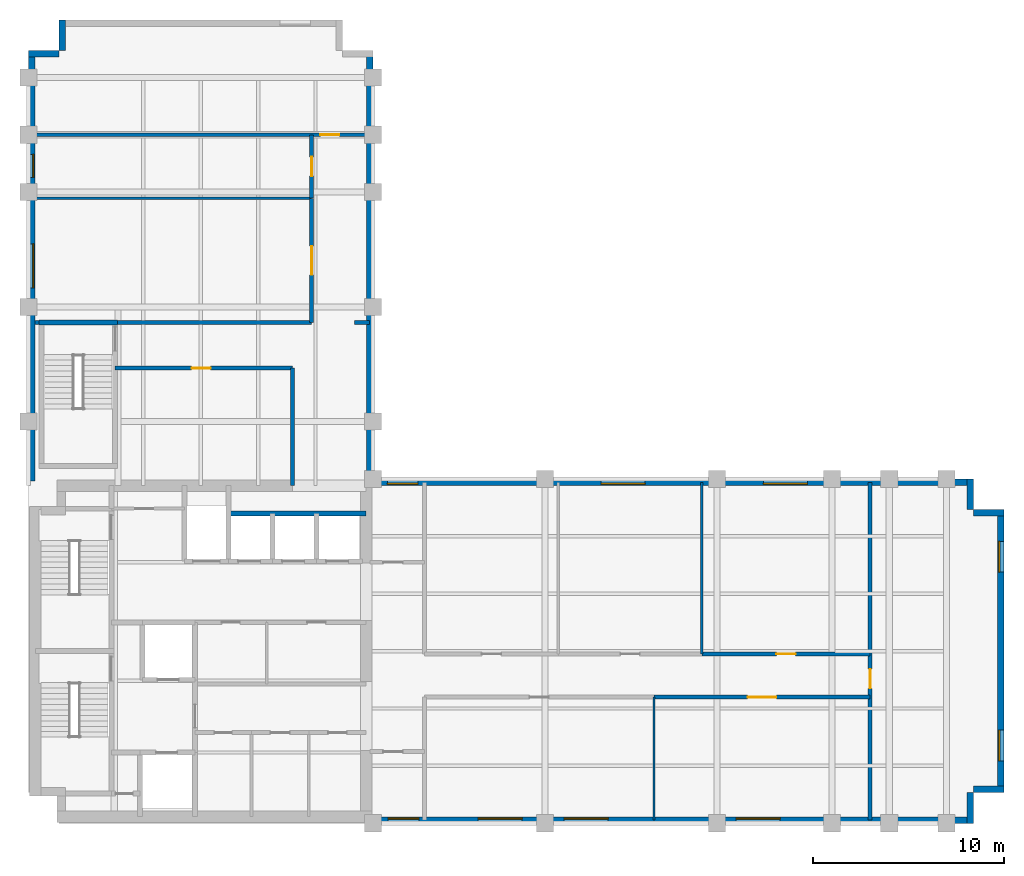
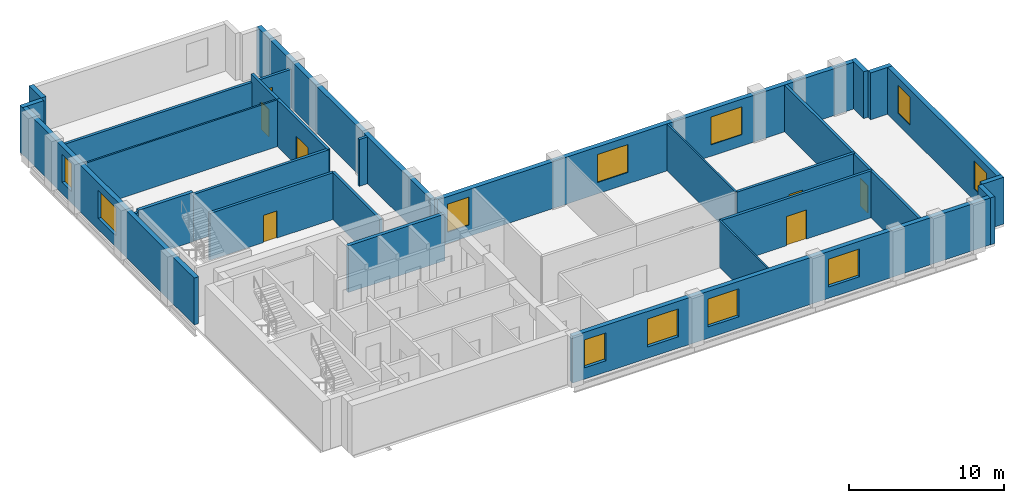
# One storey, part 4 of 6: 27 walls, 11 windows, 7 doors, 18 openings.
"""IFC4 building model written with IfcOpenShell, lengths in metres."""

from ifc_helpers import new_model, si_unit, direction, frame, frame_2d, origin, place, context, subcontext, project, spatial, rectangle, extrude, material, layer, layer_set, type_object, element, fill, save


model = new_model("IFC4")

# Units and contexts
model_context = context("Model", 3, precision=1e-05, world=origin(), true_north=direction((0.0, 1.0)))
body_context = subcontext(model_context, "Body", "Model", "MODEL_VIEW")
ifc_project = project(units=[si_unit("LENGTHUNIT", "METRE"), si_unit("AREAUNIT", "SQUARE_METRE"), si_unit("VOLUMEUNIT", "CUBIC_METRE"), si_unit("PLANEANGLEUNIT", "RADIAN"), si_unit("MASSUNIT", "GRAM", prefix="KILO")], contexts=[model_context])

# Site, building, storey
site_placement = place(None, origin())
site = spatial("IfcSite", under=ifc_project, at=site_placement, CompositionType="ELEMENT")
building_placement = place(site_placement, origin())
building = spatial("IfcBuilding", under=site, at=building_placement, Name="Mawjdan Bourse Tower", CompositionType="ELEMENT")
storey_placement = place(building_placement, frame((0.0, 0.0, 176.10009765625)))
storey = spatial("IfcBuildingStorey", under=building, at=storey_placement, Name="L42", CompositionType="ELEMENT", Elevation=176.10009765625)

# Wall, openings, windows
ifc_material_1 = material(Name="Brick Masonry Buff", Category="masonry")
ifc_layer_1 = layer(ifc_material_1, 0.340087890625)
ifc_layer_set_1 = layer_set([ifc_layer_1], Name="Brick Masonry Buff")
wall_type_1 = type_object("IfcWallType", Name="WL-BRK-SPN-340", PredefinedType="STANDARD", material=ifc_layer_set_1)
wall_1_placement = place(storey_placement, frame((23.89990234375, 3.169921875, 0.0), z_axis=(0.0, 0.0, 1.0), x_axis=(1.0, 0.0, 0.0)))
wall_1 = element("IfcWall", 1, at=wall_1_placement, inside=storey, type_object=wall_type_1, Name="L42 Exterior Brick Wall 1", PredefinedType="STANDARD", context=body_context, shape_type="SweptSolid", body=[
    extrude(rectangle(XDim=31.5, YDim=0.340087890625, at=frame_2d((15.75, 0.0))), origin(), (0.0, 0.0, 1.0), 3.699951171875),
])
opening_1_placement = place(wall_1_placement, frame((5.60009765625, 0.0, 0.89990234375)))
opening_1 = element("IfcOpeningElement", 2, at=opening_1_placement, cuts=wall_1, Name="Opening W-L42-01", PredefinedType="OPENING", context=body_context, shape_type="SweptSolid", body=[
    extrude(rectangle(XDim=2.300048828125, YDim=2.199951171875, at=frame_2d((1.14990234375, 1.10009765625))), frame((0.0, 0.18017578125, 0.0), z_axis=(0.0, -1.0, 0.0), x_axis=(1.0, 0.0, 0.0)), (0.0, 0.0, 1.0), 0.360107421875),
])
opening_2_placement = place(wall_1_placement, frame((10.10009765625, 0.0, 0.89990234375)))
opening_2 = element("IfcOpeningElement", 3, at=opening_2_placement, cuts=wall_1, Name="Opening W-L42-02", PredefinedType="OPENING", context=body_context, shape_type="SweptSolid", body=[
    extrude(rectangle(XDim=2.300048828125, YDim=2.199951171875, at=frame_2d((1.14990234375, 1.10009765625))), frame((0.0, 0.18017578125, 0.0), z_axis=(0.0, -1.0, 0.0), x_axis=(1.0, 0.0, 0.0)), (0.0, 0.0, 1.0), 0.360107421875),
])
opening_3_placement = place(wall_1_placement, frame((19.10009765625, 0.0, 0.89990234375)))
opening_3 = element("IfcOpeningElement", 4, at=opening_3_placement, cuts=wall_1, Name="Opening W-L42-03", PredefinedType="OPENING", context=body_context, shape_type="SweptSolid", body=[
    extrude(rectangle(XDim=2.300048828125, YDim=2.199951171875, at=frame_2d((1.14990234375, 1.10009765625))), frame((0.0, 0.18017578125, 0.0), z_axis=(0.0, -1.0, 0.0), x_axis=(1.0, 0.0, 0.0)), (0.0, 0.0, 1.0), 0.360107421875),
])
opening_4_placement = place(wall_1_placement, frame((0.89990234375, 0.0, 0.89990234375)))
opening_4 = element("IfcOpeningElement", 5, at=opening_4_placement, cuts=wall_1, Name="Opening W-L42-09", PredefinedType="OPENING", context=body_context, shape_type="SweptSolid", body=[
    extrude(rectangle(XDim=1.60009765625, YDim=2.199951171875, at=frame_2d((0.800048828125, 1.10009765625))), frame((0.0, 0.18017578125, 0.0), z_axis=(0.0, -1.0, 0.0), x_axis=(1.0, 0.0, 0.0)), (0.0, 0.0, 1.0), 0.360107421875),
])
ifc_material_2 = material(Name="Solar-Control Clear Double Glazing", Category="glass")
window_type_1 = type_object("IfcWindowType", Name="WN-Z3-1600", PartitioningType="SINGLE_PANEL", PredefinedType="WINDOW", material=ifc_material_2)
window_1_placement = place(opening_4_placement, origin())
window_1 = element("IfcWindow", 6, at=window_1_placement, inside=storey, type_object=window_type_1, Name="L42 Deep-Set Masonry Window W-L42-09", OverallHeight=2.199951171875, OverallWidth=1.60009765625, PartitioningType="SINGLE_PANEL", PredefinedType="WINDOW", context=body_context, shape_type="SweptSolid", body=[
    extrude(rectangle(XDim=1.60009765625, YDim=2.199951171875, at=frame_2d((0.800048828125, 1.10009765625))), frame((0.0, 0.110107421875, 0.0), z_axis=(0.0, -1.0, 0.0), x_axis=(1.0, 0.0, 0.0)), (0.0, 0.0, 1.0), 0.06005859375),
])
fill(opening_4, window_1)
window_type_2 = type_object("IfcWindowType", Name="WN-Z3-2300", PartitioningType="SINGLE_PANEL", PredefinedType="WINDOW", material=ifc_material_2)
window_2_placement = place(opening_1_placement, origin())
window_2 = element("IfcWindow", 7, at=window_2_placement, inside=storey, type_object=window_type_2, Name="L42 Deep-Set Masonry Window W-L42-01", OverallHeight=2.199951171875, OverallWidth=2.300048828125, PartitioningType="SINGLE_PANEL", PredefinedType="WINDOW", context=body_context, shape_type="SweptSolid", body=[
    extrude(rectangle(XDim=2.300048828125, YDim=2.199951171875, at=frame_2d((1.14990234375, 1.10009765625))), frame((0.0, 0.110107421875, 0.0), z_axis=(0.0, -1.0, 0.0), x_axis=(1.0, 0.0, 0.0)), (0.0, 0.0, 1.0), 0.06005859375),
])
fill(opening_1, window_2)
window_3_placement = place(opening_2_placement, origin())
window_3 = element("IfcWindow", 8, at=window_3_placement, inside=storey, type_object=window_type_2, Name="L42 Deep-Set Masonry Window W-L42-02", OverallHeight=2.199951171875, OverallWidth=2.300048828125, PartitioningType="SINGLE_PANEL", PredefinedType="WINDOW", context=body_context, shape_type="SweptSolid", body=[
    extrude(rectangle(XDim=2.300048828125, YDim=2.199951171875, at=frame_2d((1.14990234375, 1.10009765625))), frame((0.0, 0.110107421875, 0.0), z_axis=(0.0, -1.0, 0.0), x_axis=(1.0, 0.0, 0.0)), (0.0, 0.0, 1.0), 0.06005859375),
])
fill(opening_2, window_3)
window_4_placement = place(opening_3_placement, origin())
window_4 = element("IfcWindow", 9, at=window_4_placement, inside=storey, type_object=window_type_2, Name="L42 Deep-Set Masonry Window W-L42-03", OverallHeight=2.199951171875, OverallWidth=2.300048828125, PartitioningType="SINGLE_PANEL", PredefinedType="WINDOW", context=body_context, shape_type="SweptSolid", body=[
    extrude(rectangle(XDim=2.300048828125, YDim=2.199951171875, at=frame_2d((1.14990234375, 1.10009765625))), frame((0.0, 0.110107421875, 0.0), z_axis=(0.0, -1.0, 0.0), x_axis=(1.0, 0.0, 0.0)), (0.0, 0.0, 1.0), 0.06005859375),
])
fill(opening_3, window_4)

# Walls
for number, where, z_axis, x_axis, name in (
    (10, (55.22998046875, 3.0, 0.0), (0.0, 0.0, 1.0), (0.0, 1.0, 0.0), "L42 Exterior Brick Wall 2"),
    (11, (55.39990234375, 4.77001953125, 0.0), (0.0, 0.0, 1.0), (1.0, 0.0, 0.0), "L42 Exterior Brick Wall 3"),
):
    element("IfcWall", number, at=place(storey_placement, frame(where, z_axis=z_axis, x_axis=x_axis)), inside=storey, type_object=wall_type_1, Name=name, PredefinedType="STANDARD", context=body_context, shape_type="SweptSolid", body=[
        extrude(rectangle(XDim=1.60009765625, YDim=0.340087890625, at=frame_2d((0.800048828125, 0.0))), origin(), (0.0, 0.0, 1.0), 3.699951171875),
    ])

# Wall, openings, windows
wall_2_placement = place(storey_placement, frame((56.830078125, 4.60009765625, 0.0), z_axis=(0.0, 0.0, 1.0), x_axis=(0.0, 1.0, 0.0)))
wall_2 = element("IfcWall", 12, at=wall_2_placement, inside=storey, type_object=wall_type_1, Name="L42 Exterior Brick Wall 4", PredefinedType="STANDARD", context=body_context, shape_type="SweptSolid", body=[
    extrude(rectangle(XDim=14.7998046875, YDim=0.340087890625, at=frame_2d((7.39990234375, 0.0))), origin(), (0.0, 0.0, 1.0), 3.699951171875),
])
opening_5_placement = place(wall_2_placement, frame((1.666748046875, 0.0, 0.89990234375)))
opening_5 = element("IfcOpeningElement", 13, at=opening_5_placement, cuts=wall_2, Name="Opening W-L42-04", PredefinedType="OPENING", context=body_context, shape_type="SweptSolid", body=[
    extrude(rectangle(XDim=1.60009765625, YDim=2.199951171875, at=frame_2d((0.800048828125, 1.10009765625))), frame((0.0, 0.18017578125, 0.0), z_axis=(0.0, -1.0, 0.0), x_axis=(1.0, 0.0, 0.0)), (0.0, 0.0, 1.0), 0.360107421875),
])
opening_6_placement = place(wall_2_placement, frame((11.533203125, 0.0, 0.89990234375)))
opening_6 = element("IfcOpeningElement", 14, at=opening_6_placement, cuts=wall_2, Name="Opening W-L42-05", PredefinedType="OPENING", context=body_context, shape_type="SweptSolid", body=[
    extrude(rectangle(XDim=1.60009765625, YDim=2.199951171875, at=frame_2d((0.800048828125, 1.10009765625))), frame((0.0, 0.18017578125, 0.0), z_axis=(0.0, -1.0, 0.0), x_axis=(1.0, 0.0, 0.0)), (0.0, 0.0, 1.0), 0.360107421875),
])
window_5_placement = place(opening_5_placement, origin())
window_5 = element("IfcWindow", 15, at=window_5_placement, inside=storey, type_object=window_type_1, Name="L42 Deep-Set Masonry Window W-L42-04", OverallHeight=2.199951171875, OverallWidth=1.60009765625, PartitioningType="SINGLE_PANEL", PredefinedType="WINDOW", context=body_context, shape_type="SweptSolid", body=[
    extrude(rectangle(XDim=1.60009765625, YDim=2.199951171875, at=frame_2d((0.800048828125, 1.10009765625))), frame((0.0, 0.110107421875, 0.0), z_axis=(0.0, -1.0, 0.0), x_axis=(1.0, 0.0, 0.0)), (0.0, 0.0, 1.0), 0.06005859375),
])
fill(opening_5, window_5)
window_6_placement = place(opening_6_placement, origin())
window_6 = element("IfcWindow", 16, at=window_6_placement, inside=storey, type_object=window_type_1, Name="L42 Deep-Set Masonry Window W-L42-05", OverallHeight=2.199951171875, OverallWidth=1.60009765625, PartitioningType="SINGLE_PANEL", PredefinedType="WINDOW", context=body_context, shape_type="SweptSolid", body=[
    extrude(rectangle(XDim=1.60009765625, YDim=2.199951171875, at=frame_2d((0.800048828125, 1.10009765625))), frame((0.0, 0.110107421875, 0.0), z_axis=(0.0, -1.0, 0.0), x_axis=(1.0, 0.0, 0.0)), (0.0, 0.0, 1.0), 0.06005859375),
])
fill(opening_6, window_6)

# Walls
for number, where, z_axis, x_axis, name in (
    (17, (57.0, 19.22998046875, 0.0), (0.0, 0.0, 1.0), (-1.0, 0.0, 0.0), "L42 Exterior Brick Wall 5"),
    (18, (55.22998046875, 19.39990234375, 0.0), (0.0, 0.0, 1.0), (0.0, 1.0, 0.0), "L42 Exterior Brick Wall 6"),
):
    element("IfcWall", number, at=place(storey_placement, frame(where, z_axis=z_axis, x_axis=x_axis)), inside=storey, type_object=wall_type_1, Name=name, PredefinedType="STANDARD", context=body_context, shape_type="SweptSolid", body=[
        extrude(rectangle(XDim=1.60009765625, YDim=0.340087890625, at=frame_2d((0.800048828125, 0.0))), origin(), (0.0, 0.0, 1.0), 3.699951171875),
    ])

# Wall, openings, windows
wall_3_placement = place(storey_placement, frame((55.39990234375, 20.830078125, 0.0), z_axis=(0.0, 0.0, 1.0), x_axis=(-1.0, 0.0, 0.0)))
wall_3 = element("IfcWall", 19, at=wall_3_placement, inside=storey, type_object=wall_type_1, Name="L42 Exterior Brick Wall 7", PredefinedType="STANDARD", context=body_context, shape_type="SweptSolid", body=[
    extrude(rectangle(XDim=31.39990234375, YDim=0.340087890625, at=frame_2d((15.699951171875, 0.0))), origin(), (0.0, 0.0, 1.0), 3.699951171875),
])
opening_7_placement = place(wall_3_placement, frame((17.166748046875, 0.0, 0.89990234375)))
opening_7 = element("IfcOpeningElement", 20, at=opening_7_placement, cuts=wall_3, Name="Opening W-L42-06", PredefinedType="OPENING", context=body_context, shape_type="SweptSolid", body=[
    extrude(rectangle(XDim=2.300048828125, YDim=2.199951171875, at=frame_2d((1.14990234375, 1.10009765625))), frame((0.0, 0.18017578125, 0.0), z_axis=(0.0, -1.0, 0.0), x_axis=(1.0, 0.0, 0.0)), (0.0, 0.0, 1.0), 0.360107421875),
])
opening_8_placement = place(wall_3_placement, frame((29.0458984375, 0.0, 0.89990234375)))
opening_8 = element("IfcOpeningElement", 21, at=opening_8_placement, cuts=wall_3, Name="Opening W-L42-10", PredefinedType="OPENING", context=body_context, shape_type="SweptSolid", body=[
    extrude(rectangle(XDim=1.60009765625, YDim=2.199951171875, at=frame_2d((0.800048828125, 1.10009765625))), frame((0.0, 0.18017578125, 0.0), z_axis=(0.0, -1.0, 0.0), x_axis=(1.0, 0.0, 0.0)), (0.0, 0.0, 1.0), 0.360107421875),
])
opening_9_placement = place(wall_3_placement, frame((8.6748046875, 0.0, 0.89990234375)))
opening_9 = element("IfcOpeningElement", 22, at=opening_9_placement, cuts=wall_3, Name="Opening W-L42-11", PredefinedType="OPENING", context=body_context, shape_type="SweptSolid", body=[
    extrude(rectangle(XDim=2.300048828125, YDim=2.199951171875, at=frame_2d((1.14990234375, 1.10009765625))), frame((0.0, 0.18017578125, 0.0), z_axis=(0.0, -1.0, 0.0), x_axis=(1.0, 0.0, 0.0)), (0.0, 0.0, 1.0), 0.360107421875),
])
window_7_placement = place(opening_8_placement, origin())
window_7 = element("IfcWindow", 23, at=window_7_placement, inside=storey, type_object=window_type_1, Name="L42 Deep-Set Masonry Window W-L42-10", OverallHeight=2.199951171875, OverallWidth=1.60009765625, PartitioningType="SINGLE_PANEL", PredefinedType="WINDOW", context=body_context, shape_type="SweptSolid", body=[
    extrude(rectangle(XDim=1.60009765625, YDim=2.199951171875, at=frame_2d((0.800048828125, 1.10009765625))), frame((0.0, 0.110107421875, 0.0), z_axis=(0.0, -1.0, 0.0), x_axis=(1.0, 0.0, 0.0)), (0.0, 0.0, 1.0), 0.06005859375),
])
fill(opening_8, window_7)
window_8_placement = place(opening_7_placement, origin())
window_8 = element("IfcWindow", 24, at=window_8_placement, inside=storey, type_object=window_type_2, Name="L42 Deep-Set Masonry Window W-L42-06", OverallHeight=2.199951171875, OverallWidth=2.300048828125, PartitioningType="SINGLE_PANEL", PredefinedType="WINDOW", context=body_context, shape_type="SweptSolid", body=[
    extrude(rectangle(XDim=2.300048828125, YDim=2.199951171875, at=frame_2d((1.14990234375, 1.10009765625))), frame((0.0, 0.110107421875, 0.0), z_axis=(0.0, -1.0, 0.0), x_axis=(1.0, 0.0, 0.0)), (0.0, 0.0, 1.0), 0.06005859375),
])
fill(opening_7, window_8)
window_9_placement = place(opening_9_placement, origin())
window_9 = element("IfcWindow", 25, at=window_9_placement, inside=storey, type_object=window_type_2, Name="L42 Deep-Set Masonry Window W-L42-11", OverallHeight=2.199951171875, OverallWidth=2.300048828125, PartitioningType="SINGLE_PANEL", PredefinedType="WINDOW", context=body_context, shape_type="SweptSolid", body=[
    extrude(rectangle(XDim=2.300048828125, YDim=2.199951171875, at=frame_2d((1.14990234375, 1.10009765625))), frame((0.0, 0.110107421875, 0.0), z_axis=(0.0, -1.0, 0.0), x_axis=(1.0, 0.0, 0.0)), (0.0, 0.0, 1.0), 0.06005859375),
])
fill(opening_9, window_9)

# Walls
wall_4_placement = place(storey_placement, frame((23.830078125, 21.0, 0.0), z_axis=(0.0, 0.0, 1.0), x_axis=(0.0, 1.0, 0.0)))
element("IfcWall", 26, at=wall_4_placement, inside=storey, type_object=wall_type_1, Name="L42 Exterior Brick Wall 8", PredefinedType="STANDARD", context=body_context, shape_type="SweptSolid", body=[
    extrude(rectangle(XDim=22.39990234375, YDim=0.340087890625, at=frame_2d((11.199951171875, 0.0))), origin(), (0.0, 0.0, 1.0), 3.699951171875),
])
for number, where, z_axis, x_axis, name in (
    (27, (7.77001953125, 45.0, 0.0), (0.0, 0.0, 1.0), (0.0, -1.0, 0.0), "L42 Exterior Brick Wall 12"),
    (28, (7.60009765625, 43.22998046875, 0.0), (0.0, 0.0, 1.0), (-1.0, 0.0, 0.0), "L42 Exterior Brick Wall 13"),
):
    element("IfcWall", number, at=place(storey_placement, frame(where, z_axis=z_axis, x_axis=x_axis)), inside=storey, type_object=wall_type_1, Name=name, PredefinedType="STANDARD", context=body_context, shape_type="SweptSolid", body=[
        extrude(rectangle(XDim=1.60009765625, YDim=0.340087890625, at=frame_2d((0.800048828125, 0.0))), origin(), (0.0, 0.0, 1.0), 3.699951171875),
    ])

# Wall, openings, windows
wall_5_placement = place(storey_placement, frame((6.169921875, 43.39990234375, 0.0), z_axis=(0.0, 0.0, 1.0), x_axis=(0.0, -1.0, 0.0)))
wall_5 = element("IfcWall", 29, at=wall_5_placement, inside=storey, type_object=wall_type_1, Name="L42 Exterior Brick Wall 14", PredefinedType="STANDARD", context=body_context, shape_type="SweptSolid", body=[
    extrude(rectangle(XDim=22.5, YDim=0.340087890625, at=frame_2d((11.25, 0.0))), origin(), (0.0, 0.0, 1.0), 3.699951171875),
])
opening_10_placement = place(wall_5_placement, frame((10.10009765625, 0.0, 0.89990234375)))
opening_10 = element("IfcOpeningElement", 30, at=opening_10_placement, cuts=wall_5, Name="Opening W-L42-08", PredefinedType="OPENING", context=body_context, shape_type="SweptSolid", body=[
    extrude(rectangle(XDim=2.300048828125, YDim=2.199951171875, at=frame_2d((1.14990234375, 1.10009765625))), frame((0.0, 0.18017578125, 0.0), z_axis=(0.0, -1.0, 0.0), x_axis=(1.0, 0.0, 0.0)), (0.0, 0.0, 1.0), 0.360107421875),
])
opening_11_placement = place(wall_5_placement, frame((5.4248046875, 0.0, 0.89990234375)))
opening_11 = element("IfcOpeningElement", 31, at=opening_11_placement, cuts=wall_5, Name="Opening W-L42-12", PredefinedType="OPENING", context=body_context, shape_type="SweptSolid", body=[
    extrude(rectangle(XDim=1.199951171875, YDim=2.199951171875, at=frame_2d((0.60009765625, 1.10009765625))), frame((0.0, 0.18017578125, 0.0), z_axis=(0.0, -1.0, 0.0), x_axis=(1.0, 0.0, 0.0)), (0.0, 0.0, 1.0), 0.360107421875),
])
window_type_3 = type_object("IfcWindowType", Name="WN-Z3-1200", PartitioningType="SINGLE_PANEL", PredefinedType="WINDOW", material=ifc_material_2)
window_10_placement = place(opening_11_placement, origin())
window_10 = element("IfcWindow", 32, at=window_10_placement, inside=storey, type_object=window_type_3, Name="L42 Deep-Set Masonry Window W-L42-12", OverallHeight=2.199951171875, OverallWidth=1.199951171875, PartitioningType="SINGLE_PANEL", PredefinedType="WINDOW", context=body_context, shape_type="SweptSolid", body=[
    extrude(rectangle(XDim=1.199951171875, YDim=2.199951171875, at=frame_2d((0.60009765625, 1.10009765625))), frame((0.0, 0.110107421875, 0.0), z_axis=(0.0, -1.0, 0.0), x_axis=(1.0, 0.0, 0.0)), (0.0, 0.0, 1.0), 0.06005859375),
])
fill(opening_11, window_10)
window_11_placement = place(opening_10_placement, origin())
window_11 = element("IfcWindow", 33, at=window_11_placement, inside=storey, type_object=window_type_2, Name="L42 Deep-Set Masonry Window W-L42-08", OverallHeight=2.199951171875, OverallWidth=2.300048828125, PartitioningType="SINGLE_PANEL", PredefinedType="WINDOW", context=body_context, shape_type="SweptSolid", body=[
    extrude(rectangle(XDim=2.300048828125, YDim=2.199951171875, at=frame_2d((1.14990234375, 1.10009765625))), frame((0.0, 0.110107421875, 0.0), z_axis=(0.0, -1.0, 0.0), x_axis=(1.0, 0.0, 0.0)), (0.0, 0.0, 1.0), 0.06005859375),
])
fill(opening_10, window_11)

# Wall, opening, door
ifc_material_3 = material(Name="Gypsum Fireboard Assembly")
ifc_layer_2 = layer(ifc_material_3, 0.199951171875)
ifc_layer_set_2 = layer_set([ifc_layer_2], Name="Gypsum Fireboard Assembly")
wall_type_2 = type_object("IfcWallType", Name="WL-CMP-200", PredefinedType="PARTITIONING", material=ifc_layer_set_2)
wall_6_placement = place(storey_placement, frame((38.699951171875, 9.60009765625, 0.0), z_axis=(0.0, 0.0, 1.0), x_axis=(1.0, 0.0, 0.0)))
wall_6 = element("IfcWall", 34, at=wall_6_placement, inside=storey, type_object=wall_type_2, Name="L42 Conference Room Corridor Wall", PredefinedType="PARTITIONING", context=body_context, shape_type="SweptSolid", body=[
    extrude(rectangle(XDim=11.300048828125, YDim=0.199951171875, at=frame_2d((5.64990234375, 0.0))), origin(), (0.0, 0.0, 1.0), 3.68994140625),
])
opening_12_placement = place(wall_6_placement, frame((4.89990234375, 0.0, 0.0)))
opening_12 = element("IfcOpeningElement", 35, at=opening_12_placement, cuts=wall_6, Name="Opening D-L42-23", PredefinedType="OPENING", context=body_context, shape_type="SweptSolid", body=[
    extrude(rectangle(XDim=1.5, YDim=2.300048828125, at=frame_2d((0.75, 1.14990234375))), frame((0.0, 0.10986328125, 0.0), z_axis=(0.0, -1.0, 0.0), x_axis=(1.0, 0.0, 0.0)), (0.0, 0.0, 1.0), 0.219970703125),
])
ifc_material_4 = material(Name="Acoustic Glazed Timber", Category="wood")
door_type_1 = type_object("IfcDoorType", Name="DR-CNF-1500", OperationType="DOUBLE_DOOR_SINGLE_SWING", PredefinedType="DOOR", material=ifc_material_4)
door_1_placement = place(opening_12_placement, origin())
door_1 = element("IfcDoor", 36, at=door_1_placement, inside=storey, type_object=door_type_1, Name="L42 Conference Room Door D-L42-23", OperationType="DOUBLE_DOOR_SINGLE_SWING", OverallHeight=2.300048828125, OverallWidth=1.5, PredefinedType="DOOR", context=body_context, shape_type="SweptSolid", body=[
    extrude(rectangle(XDim=1.5, YDim=2.300048828125, at=frame_2d((0.75, 1.14990234375))), frame((0.0, 0.02490234375, 0.0), z_axis=(0.0, -1.0, 0.0), x_axis=(1.0, 0.0, 0.0)), (0.0, 0.0, 1.0), 0.050048828125),
])
fill(opening_12, door_1)

wall_7_placement = place(storey_placement, frame((41.199951171875, 11.85009765625, 0.0), z_axis=(0.0, 0.0, 1.0), x_axis=(1.0, 0.0, 0.0)))
wall_7 = element("IfcWall", 37, at=wall_7_placement, inside=storey, type_object=wall_type_2, Name="L42 Client Reception Corridor Wall", PredefinedType="PARTITIONING", context=body_context, shape_type="SweptSolid", body=[
    extrude(rectangle(XDim=8.800048828125, YDim=0.199951171875, at=frame_2d((4.39990234375, 0.0))), origin(), (0.0, 0.0, 1.0), 3.68994140625),
])
opening_13_placement = place(wall_7_placement, frame((3.89990234375, 0.0, 0.0)))
opening_13 = element("IfcOpeningElement", 38, at=opening_13_placement, cuts=wall_7, Name="Opening D-L42-26", PredefinedType="OPENING", context=body_context, shape_type="SweptSolid", body=[
    extrude(rectangle(XDim=1.0, YDim=2.14990234375, at=frame_2d((0.5, 1.074951171875))), frame((0.0, 0.10986328125, 0.0), z_axis=(0.0, -1.0, 0.0), x_axis=(1.0, 0.0, 0.0)), (0.0, 0.0, 1.0), 0.219970703125),
])
ifc_material_5 = material(Name="Hardwood Acoustic Leaf", Category="wood")
door_type_2 = type_object("IfcDoorType", Name="DR-OFC-1000", OperationType="NOTDEFINED", PredefinedType="DOOR", material=ifc_material_5)
door_2_placement = place(opening_13_placement, origin())
door_2 = element("IfcDoor", 39, at=door_2_placement, inside=storey, type_object=door_type_2, Name="L42 Client Reception Door D-L42-26", OperationType="SINGLE_SWING_LEFT", OverallHeight=2.14990234375, OverallWidth=1.0, PredefinedType="DOOR", context=body_context, shape_type="SweptSolid", body=[
    extrude(rectangle(XDim=1.0, YDim=2.14990234375, at=frame_2d((0.5, 1.074951171875))), frame((0.0, 0.02490234375, 0.0), z_axis=(0.0, -1.0, 0.0), x_axis=(1.0, 0.0, 0.0)), (0.0, 0.0, 1.0), 0.050048828125),
])
fill(opening_13, door_2)

wall_8_placement = place(storey_placement, frame((50.0, 3.179931640625, 0.0), z_axis=(0.0, 0.0, 1.0), x_axis=(0.0, 1.0, 0.0)))
wall_8 = element("IfcWall", 40, at=wall_8_placement, inside=storey, type_object=wall_type_2, Name="L42 East Tip Full Cross Wall", PredefinedType="PARTITIONING", context=body_context, shape_type="SweptSolid", body=[
    extrude(rectangle(XDim=17.64013671875, YDim=0.199951171875, at=frame_2d((8.820068359375, 0.0))), origin(), (0.0, 0.0, 1.0), 3.68994140625),
])
opening_14_placement = place(wall_8_placement, frame((6.875, 0.0, 0.0)))
opening_14 = element("IfcOpeningElement", 41, at=opening_14_placement, cuts=wall_8, Name="Opening D-L42-27", PredefinedType="OPENING", context=body_context, shape_type="SweptSolid", body=[
    extrude(rectangle(XDim=1.0, YDim=2.14990234375, at=frame_2d((0.5, 1.074951171875))), frame((0.0, 0.10986328125, 0.0), z_axis=(0.0, -1.0, 0.0), x_axis=(1.0, 0.0, 0.0)), (0.0, 0.0, 1.0), 0.219970703125),
])
door_3_placement = place(opening_14_placement, origin())
door_3 = element("IfcDoor", 42, at=door_3_placement, inside=storey, type_object=door_type_2, Name="L42 East Tip Hall Door D-L42-27", OperationType="SINGLE_SWING_RIGHT", OverallHeight=2.14990234375, OverallWidth=1.0, PredefinedType="DOOR", context=body_context, shape_type="SweptSolid", body=[
    extrude(rectangle(XDim=1.0, YDim=2.14990234375, at=frame_2d((0.5, 1.074951171875))), frame((0.0, 0.02490234375, 0.0), z_axis=(0.0, -1.0, 0.0), x_axis=(1.0, 0.0, 0.0)), (0.0, 0.0, 1.0), 0.050048828125),
])
fill(opening_14, door_3)

wall_9_placement = place(storey_placement, frame((10.52001953125, 26.800048828125, 0.0), z_axis=(0.0, 0.0, 1.0), x_axis=(1.0, 0.0, 0.0)))
wall_9 = element("IfcWall", 43, at=wall_9_placement, inside=storey, type_object=wall_type_2, Name="L42 North Throat North Wall", PredefinedType="PARTITIONING", context=body_context, shape_type="SweptSolid", body=[
    extrude(rectangle(XDim=9.280029296875, YDim=0.199951171875, at=frame_2d((4.64013671875, 0.0))), origin(), (0.0, 0.0, 1.0), 3.68994140625),
])
opening_15_placement = place(wall_9_placement, frame((4.0, 0.0, 0.0)))
opening_15 = element("IfcOpeningElement", 44, at=opening_15_placement, cuts=wall_9, Name="Opening D-L42-28", PredefinedType="OPENING", context=body_context, shape_type="SweptSolid", body=[
    extrude(rectangle(XDim=1.0, YDim=2.14990234375, at=frame_2d((0.5, 1.074951171875))), frame((0.0, 0.10986328125, 0.0), z_axis=(0.0, -1.0, 0.0), x_axis=(1.0, 0.0, 0.0)), (0.0, 0.0, 1.0), 0.219970703125),
])
door_4_placement = place(opening_15_placement, origin())
door_4 = element("IfcDoor", 45, at=door_4_placement, inside=storey, type_object=door_type_2, Name="L42 North Throat Suite Door D-L42-28", OperationType="SINGLE_SWING_LEFT", OverallHeight=2.14990234375, OverallWidth=1.0, PredefinedType="DOOR", context=body_context, shape_type="SweptSolid", body=[
    extrude(rectangle(XDim=1.0, YDim=2.14990234375, at=frame_2d((0.5, 1.074951171875))), frame((0.0, 0.02490234375, 0.0), z_axis=(0.0, -1.0, 0.0), x_axis=(1.0, 0.0, 0.0)), (0.0, 0.0, 1.0), 0.050048828125),
])
fill(opening_15, door_4)

# Walls
wall_10_placement = place(storey_placement, frame((19.800048828125, 20.64990234375, 0.0), z_axis=(0.0, 0.0, 1.0), x_axis=(0.0, 1.0, 0.0)))
element("IfcWall", 46, at=wall_10_placement, inside=storey, type_object=wall_type_2, Name="L42 North Throat East Wall", PredefinedType="PARTITIONING", context=body_context, shape_type="SweptSolid", body=[
    extrude(rectangle(XDim=6.150146484375, YDim=0.199951171875, at=frame_2d((3.0751953125, 0.0))), origin(), (0.0, 0.0, 1.0), 3.68994140625),
])
wall_11_placement = place(storey_placement, frame((6.340087890625, 29.179931640625, 0.0), z_axis=(0.0, 0.0, 1.0), x_axis=(1.0, 0.0, 0.0)))
element("IfcWall", 47, at=wall_11_placement, inside=storey, type_object=wall_type_2, Name="L42 North West Band ST3 West Return", PredefinedType="PARTITIONING", context=body_context, shape_type="SweptSolid", body=[
    extrude(rectangle(XDim=0.21484375, YDim=0.199951171875, at=frame_2d((0.107421875, 0.0))), origin(), (0.0, 0.0, 1.0), 3.68994140625),
])
wall_12_placement = place(storey_placement, frame((10.6298828125, 29.179931640625, 0.0), z_axis=(0.0, 0.0, 1.0), x_axis=(1.0, 0.0, 0.0)))
element("IfcWall", 48, at=wall_12_placement, inside=storey, type_object=wall_type_2, Name="L42 North West Band South Wall", PredefinedType="PARTITIONING", context=body_context, shape_type="SweptSolid", body=[
    extrude(rectangle(XDim=10.170166015625, YDim=0.199951171875, at=frame_2d((5.0849609375, 0.0))), origin(), (0.0, 0.0, 1.0), 3.68994140625),
])
wall_13_placement = place(storey_placement, frame((23.050048828125, 29.179931640625, 0.0), z_axis=(0.0, 0.0, 1.0), x_axis=(1.0, 0.0, 0.0)))
element("IfcWall", 49, at=wall_13_placement, inside=storey, type_object=wall_type_2, Name="L42 North East Band South Wall", PredefinedType="PARTITIONING", context=body_context, shape_type="SweptSolid", body=[
    extrude(rectangle(XDim=0.77001953125, YDim=0.199951171875, at=frame_2d((0.385009765625, 0.0))), origin(), (0.0, 0.0, 1.0), 3.68994140625),
])

# Wall, opening, door
wall_14_placement = place(storey_placement, frame((20.800048828125, 29.179931640625, 0.0), z_axis=(0.0, 0.0, 1.0), x_axis=(0.0, 1.0, 0.0)))
wall_14 = element("IfcWall", 50, at=wall_14_placement, inside=storey, type_object=wall_type_2, Name="L42 Conference Room Corridor Wall", PredefinedType="PARTITIONING", context=body_context, shape_type="SweptSolid", body=[
    extrude(rectangle(XDim=6.5, YDim=0.199951171875, at=frame_2d((3.25, 0.0))), origin(), (0.0, 0.0, 1.0), 3.68994140625),
])
opening_16_placement = place(wall_14_placement, frame((2.5, 0.0, 0.0)))
opening_16 = element("IfcOpeningElement", 51, at=opening_16_placement, cuts=wall_14, Name="Opening D-L42-29", PredefinedType="OPENING", context=body_context, shape_type="SweptSolid", body=[
    extrude(rectangle(XDim=1.5, YDim=2.300048828125, at=frame_2d((0.75, 1.14990234375))), frame((0.0, 0.10986328125, 0.0), z_axis=(0.0, -1.0, 0.0), x_axis=(1.0, 0.0, 0.0)), (0.0, 0.0, 1.0), 0.219970703125),
])
door_5_placement = place(opening_16_placement, origin())
door_5 = element("IfcDoor", 52, at=door_5_placement, inside=storey, type_object=door_type_1, Name="L42 Conference Room Door D-L42-29", OperationType="DOUBLE_DOOR_SINGLE_SWING", OverallHeight=2.300048828125, OverallWidth=1.5, PredefinedType="DOOR", context=body_context, shape_type="SweptSolid", body=[
    extrude(rectangle(XDim=1.5, YDim=2.300048828125, at=frame_2d((0.75, 1.14990234375))), frame((0.0, 0.02490234375, 0.0), z_axis=(0.0, -1.0, 0.0), x_axis=(1.0, 0.0, 0.0)), (0.0, 0.0, 1.0), 0.050048828125),
])
fill(opening_16, door_5)

wall_15_placement = place(storey_placement, frame((20.800048828125, 35.679931640625, 0.0), z_axis=(0.0, 0.0, 1.0), x_axis=(0.0, 1.0, 0.0)))
wall_15 = element("IfcWall", 53, at=wall_15_placement, inside=storey, type_object=wall_type_2, Name="L42 Executive Office Corridor Wall", PredefinedType="PARTITIONING", context=body_context, shape_type="SweptSolid", body=[
    extrude(rectangle(XDim=3.320068359375, YDim=0.199951171875, at=frame_2d((1.66015625, 0.0))), origin(), (0.0, 0.0, 1.0), 3.68994140625),
])
opening_17_placement = place(wall_15_placement, frame((1.159912109375, 0.0, 0.0)))
opening_17 = element("IfcOpeningElement", 54, at=opening_17_placement, cuts=wall_15, Name="Opening D-L42-30", PredefinedType="OPENING", context=body_context, shape_type="SweptSolid", body=[
    extrude(rectangle(XDim=1.0, YDim=2.14990234375, at=frame_2d((0.5, 1.074951171875))), frame((0.0, 0.10986328125, 0.0), z_axis=(0.0, -1.0, 0.0), x_axis=(1.0, 0.0, 0.0)), (0.0, 0.0, 1.0), 0.219970703125),
])
door_6_placement = place(opening_17_placement, origin())
door_6 = element("IfcDoor", 55, at=door_6_placement, inside=storey, type_object=door_type_2, Name="L42 Executive Office Door D-L42-30", OperationType="SINGLE_SWING_RIGHT", OverallHeight=2.14990234375, OverallWidth=1.0, PredefinedType="DOOR", context=body_context, shape_type="SweptSolid", body=[
    extrude(rectangle(XDim=1.0, YDim=2.14990234375, at=frame_2d((0.5, 1.074951171875))), frame((0.0, 0.02490234375, 0.0), z_axis=(0.0, -1.0, 0.0), x_axis=(1.0, 0.0, 0.0)), (0.0, 0.0, 1.0), 0.050048828125),
])
fill(opening_17, door_6)

wall_16_placement = place(storey_placement, frame((6.179931640625, 39.0, 0.0), z_axis=(0.0, 0.0, 1.0), x_axis=(1.0, 0.0, 0.0)))
wall_16 = element("IfcWall", 56, at=wall_16_placement, inside=storey, type_object=wall_type_2, Name="L42 North Tip Full Cross Wall", PredefinedType="PARTITIONING", context=body_context, shape_type="SweptSolid", body=[
    extrude(rectangle(XDim=17.64013671875, YDim=0.199951171875, at=frame_2d((8.820068359375, 0.0))), origin(), (0.0, 0.0, 1.0), 3.072998046875),
])
opening_18_placement = place(wall_16_placement, frame((15.074951171875, 0.0, 0.0)))
opening_18 = element("IfcOpeningElement", 57, at=opening_18_placement, cuts=wall_16, Name="Opening D-L42-31", PredefinedType="OPENING", context=body_context, shape_type="SweptSolid", body=[
    extrude(rectangle(XDim=1.0, YDim=2.14990234375, at=frame_2d((0.5, 1.074951171875))), frame((0.0, 0.10986328125, 0.0), z_axis=(0.0, -1.0, 0.0), x_axis=(1.0, 0.0, 0.0)), (0.0, 0.0, 1.0), 0.219970703125),
])
door_7_placement = place(opening_18_placement, origin())
door_7 = element("IfcDoor", 58, at=door_7_placement, inside=storey, type_object=door_type_2, Name="L42 North Tip Suite Door D-L42-31", OperationType="SINGLE_SWING_LEFT", OverallHeight=2.14990234375, OverallWidth=1.0, PredefinedType="DOOR", context=body_context, shape_type="SweptSolid", body=[
    extrude(rectangle(XDim=1.0, YDim=2.14990234375, at=frame_2d((0.5, 1.074951171875))), frame((0.0, 0.02490234375, 0.0), z_axis=(0.0, -1.0, 0.0), x_axis=(1.0, 0.0, 0.0)), (0.0, 0.0, 1.0), 0.050048828125),
])
fill(opening_18, door_7)

# Walls
ifc_material_6 = material(Name="Gypsum Partition")
ifc_layer_3 = layer(ifc_material_6, 0.125)
ifc_layer_set_3 = layer_set([ifc_layer_3], Name="Gypsum Partition")
wall_type_3 = type_object("IfcWallType", Name="WL-PRT-125", PredefinedType="PARTITIONING", material=ifc_layer_set_3)
wall_17_placement = place(storey_placement, frame((38.699951171875, 3.179931640625, 0.0), z_axis=(0.0, 0.0, 1.0), x_axis=(0.0, 1.0, 0.0)))
element("IfcWall", 59, at=wall_17_placement, inside=storey, type_object=wall_type_3, Name="L42 Conference Room Partition", PredefinedType="PARTITIONING", context=body_context, shape_type="SweptSolid", body=[
    extrude(rectangle(XDim=6.420166015625, YDim=0.125, at=frame_2d((3.2099609375, 0.0))), origin(), (0.0, 0.0, 1.0), 3.68994140625),
])
wall_18_placement = place(storey_placement, frame((41.199951171875, 11.85009765625, 0.0), z_axis=(0.0, 0.0, 1.0), x_axis=(0.0, 1.0, 0.0)))
element("IfcWall", 60, at=wall_18_placement, inside=storey, type_object=wall_type_3, Name="L42 Client Reception Partition", PredefinedType="PARTITIONING", context=body_context, shape_type="SweptSolid", body=[
    extrude(rectangle(XDim=8.969970703125, YDim=0.125, at=frame_2d((4.48486328125, 0.0))), origin(), (0.0, 0.0, 1.0), 3.68994140625),
])
wall_19_placement = place(storey_placement, frame((6.179931640625, 35.679931640625, 0.0), z_axis=(0.0, 0.0, 1.0), x_axis=(1.0, 0.0, 0.0)))
element("IfcWall", 61, at=wall_19_placement, inside=storey, type_object=wall_type_3, Name="L42 Executive Office Partition", PredefinedType="PARTITIONING", context=body_context, shape_type="SweptSolid", body=[
    extrude(rectangle(XDim=14.6201171875, YDim=0.125, at=frame_2d((7.31005859375, 0.0))), origin(), (0.0, 0.0, 1.0), 3.68994140625),
])
ifc_material_7 = material(Name="Concrete C50/60", Category="concrete")
ifc_layer_4 = layer(ifc_material_7, 0.25)
ifc_layer_set_4 = layer_set([ifc_layer_4], Name="Concrete C50/60")
wall_type_4 = type_object("IfcWallType", Name="WL-SHFT-250", PredefinedType="PARTITIONING", material=ifc_layer_set_4)
wall_20_placement = place(storey_placement, frame((16.449951171875, 19.199951171875, 0.0), z_axis=(0.0, 0.0, 1.0), x_axis=(1.0, 0.0, 0.0)))
element("IfcWall", 62, at=wall_20_placement, inside=storey, type_object=wall_type_4, Name="L42 PH Bank North Shaft Back Wall", PredefinedType="PARTITIONING", context=body_context, shape_type="SweptSolid", body=[
    extrude(rectangle(XDim=7.199951171875, YDim=0.25, at=frame_2d((3.60009765625, 0.0))), origin(), (0.0, 0.0, 1.0), 3.68994140625),
])
ifc_layer_5 = layer(ifc_material_7, 0.25)
ifc_layer_set_5 = layer_set([ifc_layer_5], Name="Concrete C50/60")
wall_type_5 = type_object("IfcWallType", Name="WL-STRW-250", PredefinedType="SHEAR", material=ifc_layer_set_5)
wall_21_placement = place(storey_placement, frame((6.554931640625, 29.179931640625, 0.0), z_axis=(0.0, 0.0, 1.0), x_axis=(1.0, 0.0, 0.0)))
element("IfcWall", 63, at=wall_21_placement, inside=storey, type_object=wall_type_5, Name="L42 ST3 North Shaft Wall", PredefinedType="SHEAR", context=body_context, shape_type="SweptSolid", body=[
    extrude(rectangle(XDim=4.090087890625, YDim=0.25, at=frame_2d((2.044921875, 0.0))), origin(), (0.0, 0.0, 1.0), 3.89990234375),
])

save(model, "model.ifc")
